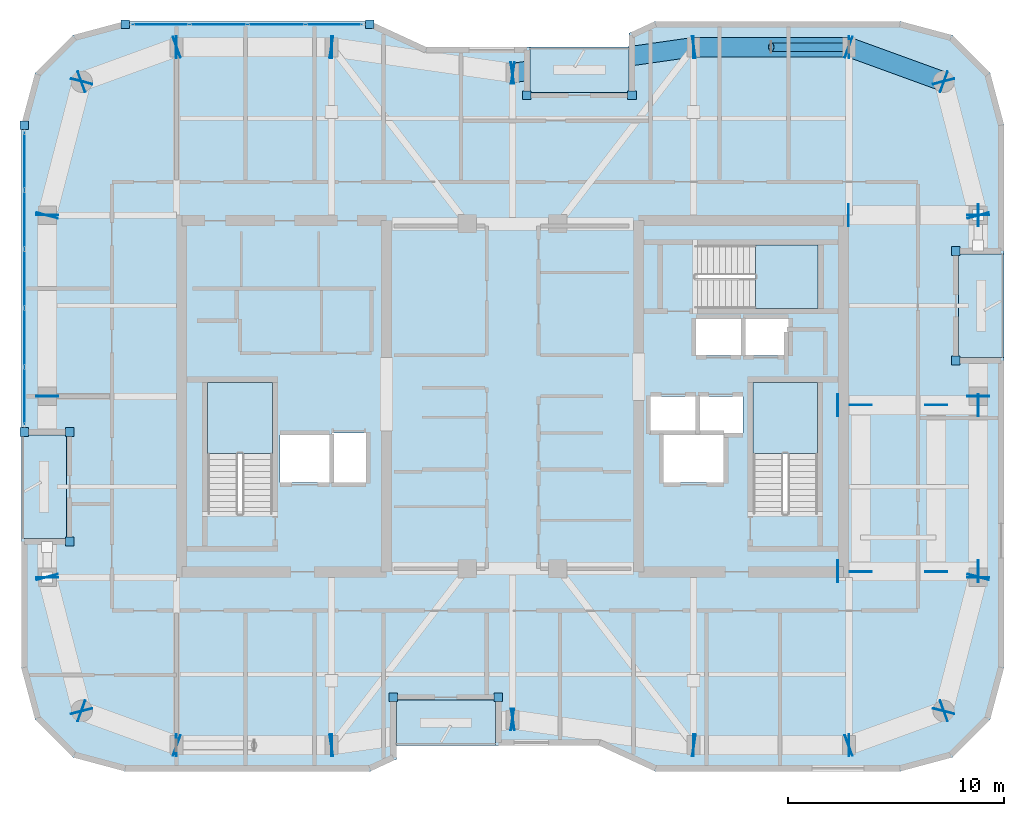
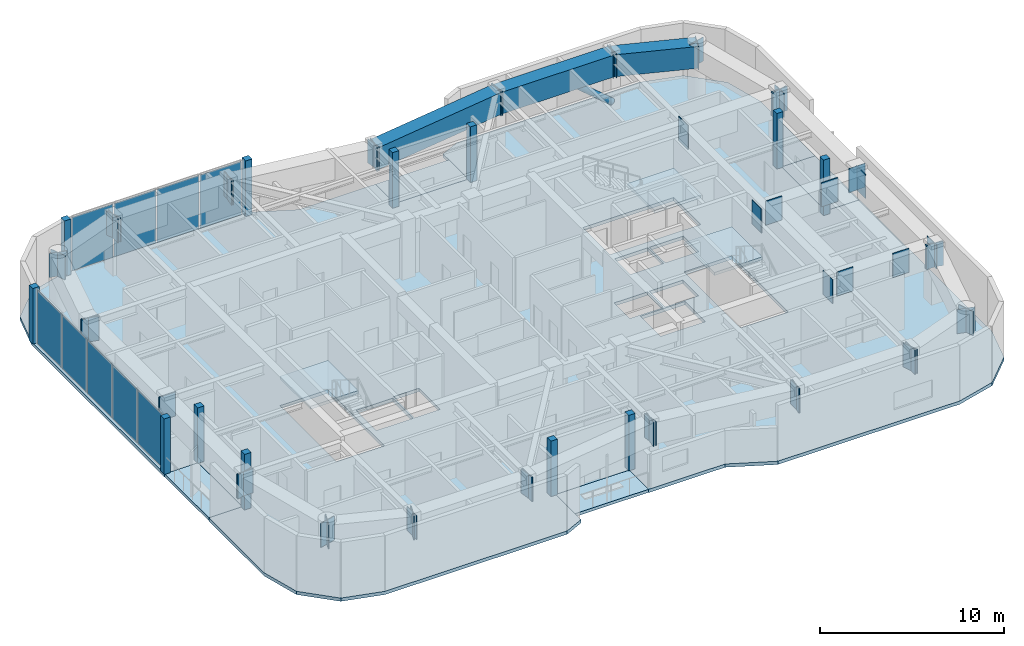
# One storey, part 7 of 16: 71 plates, 8 slabs, 3 beams, 1 member, 5 elements without a shape of their own.
"""IFC4 building model written with IfcOpenShell, lengths in metres."""

from ifc_helpers import new_model, si_unit, direction, frame, origin, origin_2d, place, context, subcontext, project, spatial, polyline, rectangle, hollow_rectangle, hollow_circle, outline, extrude, material, layer, layer_set, material_profile, profile_set, type_object, element, aggregate, save


model = new_model("IFC4")

# Units and contexts
model_context = context("Model", 3, precision=1e-05, world=origin(), true_north=direction((0.0, 1.0)))
body_context = subcontext(model_context, "Body", "Model", "MODEL_VIEW")
ifc_project = project(units=[si_unit("LENGTHUNIT", "METRE"), si_unit("AREAUNIT", "SQUARE_METRE"), si_unit("VOLUMEUNIT", "CUBIC_METRE"), si_unit("PLANEANGLEUNIT", "RADIAN"), si_unit("MASSUNIT", "GRAM", prefix="KILO")], contexts=[model_context])

# Site, building, storey
site_placement = place(None, origin())
site = spatial("IfcSite", under=ifc_project, at=site_placement, CompositionType="ELEMENT")
building_placement = place(site_placement, origin())
building = spatial("IfcBuilding", under=site, at=building_placement, Name="Kiyonajd Concourse Tower", CompositionType="ELEMENT")
storey_placement = place(building_placement, frame((0.0, 0.0, 346.5)))
storey = spatial("IfcBuildingStorey", under=building, at=storey_placement, Name="L87", CompositionType="ELEMENT", Elevation=346.5)

# Beams
ifc_material_1 = material(Name="Steel ASTM A572 Grade 50", Category="steel")
ifc_material_profile_1 = material_profile(ifc_material_1, hollow_rectangle(XDim=0.89990234375, YDim=1.449951171875, WallThickness=0.074951171875, at=origin_2d()), Name="BOX-1450x900x75")
ifc_profile_set_1 = profile_set([ifc_material_profile_1], Name="Steel ASTM A572 Grade 50")
beam_type = type_object("IfcBeamType", Name="BM-XFER-1800", PredefinedType="BEAM", material=ifc_profile_set_1)
beam_1_placement = place(storey_placement, frame((68.0, 50.60009765625, 2.955078125), z_axis=(-0.939801036019, 0.341722127901, 0.0), x_axis=(-0.341722127901, -0.939801036019, 0.0)))
element("IfcBeam", 1, at=beam_1_placement, inside=storey, type_object=beam_type, Name="L87 Perimeter Bundled Tube Spandrel", PredefinedType="BEAM", context=body_context, shape_type="SweptSolid", body=[
    extrude(hollow_rectangle(XDim=0.89990234375, YDim=1.449951171875, WallThickness=0.074951171875, at=origin_2d()), origin(), (0.0, 0.0, 1.0), 4.681640625),
])
beam_2_placement = place(storey_placement, frame((63.60009765625, 52.199951171875, 2.955078125), z_axis=(-1.0, 0.0, 0.0), x_axis=(0.0, -1.0, 0.0)))
element("IfcBeam", 2, at=beam_2_placement, inside=storey, type_object=beam_type, Name="L87 Perimeter Bundled Tube Spandrel", PredefinedType="BEAM", context=body_context, shape_type="SweptSolid", body=[
    extrude(hollow_rectangle(XDim=0.89990234375, YDim=1.449951171875, WallThickness=0.074951171875, at=origin_2d()), origin(), (0.0, 0.0, 1.0), 7.2001953125),
])
beam_3_placement = place(storey_placement, frame((56.39990234375, 52.199951171875, 2.955078125), z_axis=(-0.989950069105, -0.141417328072, 0.0), x_axis=(0.141417328072, -0.989950069105, 0.0)))
element("IfcBeam", 3, at=beam_3_placement, inside=storey, type_object=beam_type, Name="L87 Perimeter Bundled Tube Spandrel", PredefinedType="BEAM", context=body_context, shape_type="SweptSolid", body=[
    extrude(hollow_rectangle(XDim=0.89990234375, YDim=1.449951171875, WallThickness=0.074951171875, at=origin_2d()), origin(), (0.0, 0.0, 1.0), 8.485107421875),
])

# Member
ifc_material_2 = material(Name="Steel ASTM A500 Grade C", Category="steel")
ifc_material_profile_2 = material_profile(ifc_material_2, hollow_circle(Radius=0.202880859375, WallThickness=0.01904296875, at=origin_2d()), Name="CHS-406x19")
ifc_profile_set_2 = profile_set([ifc_material_profile_2], Name="Steel ASTM A500 Grade C")
member_type = type_object("IfcMemberType", Name="MB-PB-HIGH", PredefinedType="BRACE", material=ifc_profile_set_2)
member_placement = place(storey_placement, frame((63.60009765625, 52.199951171875, 0.300048828125), z_axis=(-0.765082043761, 0.0, 0.643932811957), x_axis=(0.0, -1.0, 0.0)))
element("IfcMember", 4, at=member_placement, inside=storey, type_object=member_type, Name="L87 Upper Zone Hollow Tube Brace PBN", PredefinedType="BRACE", context=body_context, shape_type="SweptSolid", body=[
    extrude(hollow_circle(Radius=0.202880859375, WallThickness=0.01904296875, at=origin_2d()), origin(), (0.0, 0.0, 1.0), 4.70556640625),
])

# Plates
ifc_layer_1 = layer(ifc_material_1, 0.031982421875)
ifc_layer_set_1 = layer_set([ifc_layer_1], Name="Steel ASTM A572 Grade 50")
plate_type_1 = type_object("IfcPlateType", Name="PL-CAP-540", PredefinedType="USERDEFINED", material=ifc_layer_set_1)
for number, where, z_axis, x_axis, name in (
    (5, (69.60009765625, 27.589111328125, 2.16015625), (0.0, 0.0, 1.0), (0.0, -1.0, 0.0), "L87 Transfer Box End Cap"),
    (6, (69.60009765625, 36.010986328125, 2.16015625), (0.0, 0.0, 1.0), (0.0, 1.0, 0.0), "L87 Transfer Box End Cap"),
    (7, (63.089111328125, 27.8701171875, 2.16015625), (0.0, 0.0, 1.0), (-1.0, 0.0, 0.0), "L87 Transfer Box End Cap"),
    (8, (69.611083984375, 27.8701171875, 2.16015625), (0.0, 0.0, 1.0), (1.0, 0.0, 0.0), "L87 Transfer Box End Cap"),
    (9, (63.089111328125, 35.580078125, 2.16015625), (0.0, 0.0, 1.0), (-1.0, 0.0, 0.0), "L87 Transfer Box End Cap"),
    (10, (69.611083984375, 35.580078125, 2.16015625), (0.0, 0.0, 1.0), (1.0, 0.0, 0.0), "L87 Transfer Box End Cap"),
    (11, (64.14990234375, 27.85888671875, 2.16015625), (0.0, 0.0, 1.0), (0.0, -1.0, 0.0), "L87 Transfer Box End Cap"),
    (12, (64.14990234375, 35.591064453125, 2.16015625), (0.0, 0.0, 1.0), (0.0, 1.0, 0.0), "L87 Transfer Box End Cap"),
    (13, (67.64990234375, 27.85888671875, 2.16015625), (0.0, 0.0, 1.0), (0.0, -1.0, 0.0), "L87 Transfer Box End Cap"),
    (14, (67.64990234375, 35.591064453125, 2.16015625), (0.0, 0.0, 1.0), (0.0, 1.0, 0.0), "L87 Transfer Box End Cap"),
    (15, (26.397216796875, 27.610595703125, 2.16015625), (0.0, 0.0, 1.0), (-0.249873048837, 0.968278606324, 0.0), "L87 Welded Box Girder End Cap"),
    (16, (28.002685546875, 21.389404296875, 2.16015625), (0.0, 0.0, 1.0), (0.249873048837, -0.968278606324, 0.0), "L87 Welded Box Girder End Cap"),
    (17, (27.98974609375, 21.40380859375, 2.16015625), (0.0, 0.0, 1.0), (-0.939811951086, 0.341692107891, 0.0), "L87 Welded Box Girder End Cap"),
    (18, (32.410400390625, 19.796142578125, 2.16015625), (0.0, 0.0, 1.0), (0.939811951086, -0.341692107891, 0.0), "L87 Welded Box Girder End Cap"),
    (19, (32.388916015625, 19.800048828125, 2.16015625), (0.0, 0.0, 1.0), (-1.0, 0.0, 0.0), "L87 Welded Box Girder End Cap"),
    (20, (39.611083984375, 19.800048828125, 2.16015625), (0.0, 0.0, 1.0), (1.0, 0.0, 0.0), "L87 Welded Box Girder End Cap"),
    (21, (39.589111328125, 19.79833984375, 2.16015625), (0.0, 0.0, 1.0), (-0.989949746297, -0.141419587774, 0.0), "L87 Welded Box Girder End Cap"),
    (22, (48.010986328125, 21.001708984375, 2.16015625), (0.0, 0.0, 1.0), (0.989949746297, 0.141419587774, 0.0), "L87 Welded Box Girder End Cap"),
    (23, (47.989013671875, 21.001708984375, 2.16015625), (0.0, 0.0, 1.0), (-0.989949746297, 0.141419587774, 0.0), "L87 Welded Box Girder End Cap"),
    (24, (56.410888671875, 19.79833984375, 2.16015625), (0.0, 0.0, 1.0), (0.989949746297, -0.141419587774, 0.0), "L87 Welded Box Girder End Cap"),
    (25, (56.388916015625, 19.800048828125, 2.16015625), (0.0, 0.0, 1.0), (-1.0, 0.0, 0.0), "L87 Welded Box Girder End Cap"),
    (26, (63.611083984375, 19.800048828125, 2.16015625), (0.0, 0.0, 1.0), (1.0, 0.0, 0.0), "L87 Welded Box Girder End Cap"),
    (27, (63.589599609375, 19.796142578125, 2.16015625), (0.0, 0.0, 1.0), (-0.939811951086, -0.341692107891, 0.0), "L87 Welded Box Girder End Cap"),
    (28, (68.01025390625, 21.40380859375, 2.16015625), (0.0, 0.0, 1.0), (0.939811951086, 0.341692107891, 0.0), "L87 Welded Box Girder End Cap"),
    (29, (67.997314453125, 21.389404296875, 2.16015625), (0.0, 0.0, 1.0), (-0.249873048837, -0.968278606324, 0.0), "L87 Welded Box Girder End Cap"),
    (30, (69.602783203125, 27.610595703125, 2.16015625), (0.0, 0.0, 1.0), (0.249873048837, 0.968278606324, 0.0), "L87 Welded Box Girder End Cap"),
    (31, (69.60009765625, 35.989013671875, 2.16015625), (0.0, 0.0, 1.0), (0.0, -1.0, 0.0), "L87 Welded Box Girder End Cap"),
    (32, (69.60009765625, 44.410888671875, 2.16015625), (0.0, 0.0, 1.0), (0.0, 1.0, 0.0), "L87 Welded Box Girder End Cap"),
    (33, (69.602783203125, 44.389404296875, 2.16015625), (0.0, 0.0, 1.0), (0.249873048837, -0.968278606324, 0.0), "L87 Welded Box Girder End Cap"),
    (34, (67.997314453125, 50.610595703125, 2.16015625), (0.0, 0.0, 1.0), (-0.249873048837, 0.968278606324, 0.0), "L87 Welded Box Girder End Cap"),
    (35, (68.01025390625, 50.59619140625, 2.16015625), (0.0, 0.0, 1.0), (0.939811951086, -0.341692107891, 0.0), "L87 Welded Box Girder End Cap"),
    (36, (63.589599609375, 52.203857421875, 2.16015625), (0.0, 0.0, 1.0), (-0.939811951086, 0.341692107891, 0.0), "L87 Welded Box Girder End Cap"),
    (37, (63.611083984375, 52.199951171875, 2.16015625), (0.0, 0.0, 1.0), (1.0, 0.0, 0.0), "L87 Welded Box Girder End Cap"),
    (38, (56.388916015625, 52.199951171875, 2.16015625), (0.0, 0.0, 1.0), (-1.0, 0.0, 0.0), "L87 Welded Box Girder End Cap"),
    (39, (56.410888671875, 52.20166015625, 2.16015625), (0.0, 0.0, 1.0), (0.989949746297, 0.141419587774, 0.0), "L87 Welded Box Girder End Cap"),
    (40, (47.989013671875, 50.998291015625, 2.16015625), (0.0, 0.0, 1.0), (-0.989949746297, -0.141419587774, 0.0), "L87 Welded Box Girder End Cap"),
    (41, (48.010986328125, 50.998291015625, 2.16015625), (0.0, 0.0, 1.0), (0.989949746297, -0.141419587774, 0.0), "L87 Welded Box Girder End Cap"),
    (42, (39.589111328125, 52.20166015625, 2.16015625), (0.0, 0.0, 1.0), (-0.989949746297, 0.141419587774, 0.0), "L87 Welded Box Girder End Cap"),
    (43, (39.611083984375, 52.199951171875, 2.16015625), (0.0, 0.0, 1.0), (1.0, 0.0, 0.0), "L87 Welded Box Girder End Cap"),
    (44, (32.388916015625, 52.199951171875, 2.16015625), (0.0, 0.0, 1.0), (-1.0, 0.0, 0.0), "L87 Welded Box Girder End Cap"),
    (45, (32.410400390625, 52.203857421875, 2.16015625), (0.0, 0.0, 1.0), (0.939811951086, 0.341692107891, 0.0), "L87 Welded Box Girder End Cap"),
    (46, (27.98974609375, 50.59619140625, 2.16015625), (0.0, 0.0, 1.0), (-0.939811951086, -0.341692107891, 0.0), "L87 Welded Box Girder End Cap"),
    (47, (28.002685546875, 50.610595703125, 2.16015625), (0.0, 0.0, 1.0), (0.249873048837, 0.968278606324, 0.0), "L87 Welded Box Girder End Cap"),
    (48, (26.397216796875, 44.389404296875, 2.16015625), (0.0, 0.0, 1.0), (-0.249873048837, -0.968278606324, 0.0), "L87 Welded Box Girder End Cap"),
    (49, (26.39990234375, 44.410888671875, 2.16015625), (0.0, 0.0, 1.0), (0.0, 1.0, 0.0), "L87 Welded Box Girder End Cap"),
    (50, (26.39990234375, 35.989013671875, 2.16015625), (0.0, 0.0, 1.0), (0.0, -1.0, 0.0), "L87 Welded Box Girder End Cap"),
    (51, (26.39990234375, 36.010986328125, 2.16015625), (0.0, 0.0, 1.0), (0.0, 1.0, 0.0), "L87 Welded Box Girder End Cap"),
    (52, (26.39990234375, 27.589111328125, 2.16015625), (0.0, 0.0, 1.0), (0.0, -1.0, 0.0), "L87 Welded Box Girder End Cap"),
    (53, (63.589111328125, 44.39990234375, 2.16015625), (0.0, 0.0, 1.0), (-1.0, 0.0, 0.0), "L87 Welded Box Girder End Cap"),
    (54, (69.611083984375, 44.39990234375, 2.16015625), (0.0, 0.0, 1.0), (1.0, 0.0, 0.0), "L87 Welded Box Girder End Cap"),
):
    element("IfcPlate", number, at=place(storey_placement, frame(where, z_axis=z_axis, x_axis=x_axis)), inside=storey, type_object=plate_type_1, Name=name, ObjectType="CAP PLATE", PredefinedType="USERDEFINED", context=body_context, shape_type="SweptSolid", body=[
        extrude(rectangle(XDim=0.035888671875, YDim=1.02001953125, at=origin_2d()), origin(), (0.0, 0.0, 1.0), 1.590087890625),
    ])

# Curtain wall, plates
ifc_material_3 = material(Name="Thermally Broken Anodised Aluminium", Category="aluminium")
ifc_layer_2 = layer(ifc_material_3, 0.179931640625)
ifc_layer_set_2 = layer_set([ifc_layer_2], Name="Thermally Broken Anodised Aluminium")
curtain_wall_type = type_object("IfcCurtainWallType", Name="CW-SYS-06", PredefinedType="NOTDEFINED", material=ifc_layer_set_2)
curtain_wall_1_placement = place(storey_placement, origin())
curtain_wall_1 = element("IfcCurtainWall", 55, at=curtain_wall_1_placement, inside=storey, type_object=curtain_wall_type, Name="L87 Unitised Curtain Wall CW6", PredefinedType="NOTDEFINED")
ifc_material_4 = material(Name="Double Low-E Insulated Glass", Category="glass")
ifc_layer_3 = layer(ifc_material_4, 0.028076171875)
ifc_layer_set_3 = layer_set([ifc_layer_3], Name="Double Low-E Insulated Glass")
plate_type_2 = type_object("IfcPlateType", Name="PL-CW-VIS28", PredefinedType="CURTAIN_PANEL", material=ifc_layer_set_3)
plate_1_placement = place(storey_placement, frame((25.340087890625, 36.014892578125, 0.0751953125), z_axis=(0.0, 0.0, 1.0), x_axis=(0.0, 1.0, 0.0)))
plate_1 = element("IfcPlate", 56, at=plate_1_placement, type_object=plate_type_2, Name="CW6 panel 1.1", PredefinedType="CURTAIN_PANEL", context=body_context, shape_type="SweptSolid", body=[
    extrude(rectangle(XDim=2.619873046875, YDim=0.028076171875, at=origin_2d()), origin(), (0.0, 0.0, 1.0), 3.530029296875),
])
plate_2_placement = place(storey_placement, frame((25.340087890625, 38.728515625, 0.0751953125), z_axis=(0.0, 0.0, 1.0), x_axis=(0.0, 1.0, 0.0)))
plate_2 = element("IfcPlate", 57, at=plate_2_placement, type_object=plate_type_2, Name="CW6 panel 2.1", PredefinedType="CURTAIN_PANEL", context=body_context, shape_type="SweptSolid", body=[
    extrude(rectangle(XDim=2.6572265625, YDim=0.028076171875, at=origin_2d()), origin(), (0.0, 0.0, 1.0), 3.530029296875),
])
plate_3_placement = place(storey_placement, frame((25.340087890625, 41.460693359375, 0.0751953125), z_axis=(0.0, 0.0, 1.0), x_axis=(0.0, 1.0, 0.0)))
plate_3 = element("IfcPlate", 58, at=plate_3_placement, type_object=plate_type_2, Name="CW6 panel 3.1", PredefinedType="CURTAIN_PANEL", context=body_context, shape_type="SweptSolid", body=[
    extrude(rectangle(XDim=2.6572265625, YDim=0.028076171875, at=origin_2d()), origin(), (0.0, 0.0, 1.0), 3.530029296875),
])
plate_4_placement = place(storey_placement, frame((25.340087890625, 44.193115234375, 0.0751953125), z_axis=(0.0, 0.0, 1.0), x_axis=(0.0, 1.0, 0.0)))
plate_4 = element("IfcPlate", 59, at=plate_4_placement, type_object=plate_type_2, Name="CW6 panel 4.1", PredefinedType="CURTAIN_PANEL", context=body_context, shape_type="SweptSolid", body=[
    extrude(rectangle(XDim=2.6572265625, YDim=0.028076171875, at=origin_2d()), origin(), (0.0, 0.0, 1.0), 3.530029296875),
])
plate_5_placement = place(storey_placement, frame((25.340087890625, 46.90673828125, 0.0751953125), z_axis=(0.0, 0.0, 1.0), x_axis=(0.0, 1.0, 0.0)))
plate_5 = element("IfcPlate", 60, at=plate_5_placement, type_object=plate_type_2, Name="CW6 panel 5.1", PredefinedType="CURTAIN_PANEL", context=body_context, shape_type="SweptSolid", body=[
    extrude(rectangle(XDim=2.619873046875, YDim=0.028076171875, at=origin_2d()), origin(), (0.0, 0.0, 1.0), 3.530029296875),
])
aggregate(curtain_wall_1, [plate_1, plate_2, plate_3, plate_4, plate_5])

curtain_wall_2_placement = place(storey_placement, origin())
curtain_wall_2 = element("IfcCurtainWall", 61, at=curtain_wall_2_placement, inside=storey, type_object=curtain_wall_type, Name="L87 Unitised Curtain Wall CW6", PredefinedType="NOTDEFINED")
plate_6_placement = place(storey_placement, frame((31.673583984375, 53.260009765625, 0.0751953125), z_axis=(0.0, 0.0, 1.0), x_axis=(1.0, 0.0, 0.0)))
plate_6 = element("IfcPlate", 62, at=plate_6_placement, type_object=plate_type_2, Name="CW6 panel 1.1", PredefinedType="CURTAIN_PANEL", context=body_context, shape_type="SweptSolid", body=[
    extrude(rectangle(XDim=2.580322265625, YDim=0.028076171875, at=origin_2d()), origin(), (0.0, 0.0, 1.0), 3.530029296875),
])
plate_7_placement = place(storey_placement, frame((34.347412109375, 53.260009765625, 0.0751953125), z_axis=(0.0, 0.0, 1.0), x_axis=(1.0, 0.0, 0.0)))
plate_7 = element("IfcPlate", 63, at=plate_7_placement, type_object=plate_type_2, Name="CW6 panel 2.1", PredefinedType="CURTAIN_PANEL", context=body_context, shape_type="SweptSolid", body=[
    extrude(rectangle(XDim=2.61767578125, YDim=0.028076171875, at=origin_2d()), origin(), (0.0, 0.0, 1.0), 3.530029296875),
])
plate_8_placement = place(storey_placement, frame((37.040283203125, 53.260009765625, 0.0751953125), z_axis=(0.0, 0.0, 1.0), x_axis=(1.0, 0.0, 0.0)))
plate_8 = element("IfcPlate", 64, at=plate_8_placement, type_object=plate_type_2, Name="CW6 panel 3.1", PredefinedType="CURTAIN_PANEL", context=body_context, shape_type="SweptSolid", body=[
    extrude(rectangle(XDim=2.61767578125, YDim=0.028076171875, at=origin_2d()), origin(), (0.0, 0.0, 1.0), 3.530029296875),
])
plate_9_placement = place(storey_placement, frame((39.714111328125, 53.260009765625, 0.0751953125), z_axis=(0.0, 0.0, 1.0), x_axis=(1.0, 0.0, 0.0)))
plate_9 = element("IfcPlate", 65, at=plate_9_placement, type_object=plate_type_2, Name="CW6 panel 4.1", PredefinedType="CURTAIN_PANEL", context=body_context, shape_type="SweptSolid", body=[
    extrude(rectangle(XDim=2.580322265625, YDim=0.028076171875, at=origin_2d()), origin(), (0.0, 0.0, 1.0), 3.530029296875),
])
aggregate(curtain_wall_2, [plate_6, plate_7, plate_8, plate_9])

# Plates
ifc_layer_4 = layer(ifc_material_3, 0.39990234375)
ifc_layer_set_4 = layer_set([ifc_layer_4], Name="Thermally Broken Anodised Aluminium")
plate_type_3 = type_object("IfcPlateType", Name="PL-JMB-400", PredefinedType="USERDEFINED", material=ifc_layer_set_4)
for number, where, z_axis, x_axis, name in (
    (66, (27.43994140625, 29.260009765625, 0.0), (0.0, 0.0, 1.0), (1.0, 0.0, 0.0), "L87 Facade Jamb Closure Plate 01"),
    (67, (27.43994140625, 34.340087890625, 0.0), (0.0, 0.0, 1.0), (1.0, 0.0, 0.0), "L87 Facade Jamb Closure Plate 02"),
    (68, (25.340087890625, 34.340087890625, 0.0), (0.0, 0.0, 1.0), (1.0, 0.0, 0.0), "L87 Facade Jamb Closure Plate 03"),
    (69, (25.340087890625, 48.58154296875, 0.0), (0.0, 0.0, 1.0), (1.0, 0.0, 0.0), "L87 Facade Jamb Closure Plate 04"),
    (70, (30.018310546875, 53.260009765625, 0.0), (0.0, 0.0, 1.0), (1.0, 0.0, 0.0), "L87 Facade Jamb Closure Plate 05"),
    (71, (41.369384765625, 53.260009765625, 0.0), (0.0, 0.0, 1.0), (1.0, 0.0, 0.0), "L87 Facade Jamb Closure Plate 06"),
    (72, (48.659912109375, 49.9599609375, 0.0), (0.0, 0.0, 1.0), (1.0, 0.0, 0.0), "L87 Facade Jamb Closure Plate 07"),
    (73, (53.5400390625, 49.9599609375, 0.0), (0.0, 0.0, 1.0), (1.0, 0.0, 0.0), "L87 Facade Jamb Closure Plate 08"),
    (74, (68.56005859375, 42.739990234375, 0.0), (0.0, 0.0, 1.0), (1.0, 0.0, 0.0), "L87 Facade Jamb Closure Plate 09"),
    (75, (68.56005859375, 37.659912109375, 0.0), (0.0, 0.0, 1.0), (1.0, 0.0, 0.0), "L87 Facade Jamb Closure Plate 10"),
    (76, (47.340087890625, 22.0400390625, 0.0), (0.0, 0.0, 1.0), (1.0, 0.0, 0.0), "L87 Facade Jamb Closure Plate 11"),
    (77, (42.4599609375, 22.0400390625, 0.0), (0.0, 0.0, 1.0), (1.0, 0.0, 0.0), "L87 Facade Jamb Closure Plate 12"),
):
    element("IfcPlate", number, at=place(storey_placement, frame(where, z_axis=z_axis, x_axis=x_axis)), inside=storey, type_object=plate_type_3, Name=name, ObjectType="JAMB PLATE", PredefinedType="USERDEFINED", context=body_context, shape_type="SweptSolid", body=[
        extrude(rectangle(XDim=0.39990234375, YDim=0.39990234375, at=origin_2d()), origin(), (0.0, 0.0, 1.0), 3.679931640625),
    ])

# Stair, slab
ifc_material_5 = material(Name="Concrete C40/50", Category="concrete")
stair_type = type_object("IfcStairType", Name="ST-DLG-22R", PredefinedType="HALF_TURN_STAIR", material=ifc_material_5)
stair_1_placement = place(storey_placement, origin())
stair_1 = element("IfcStair", 78, at=stair_1_placement, inside=storey, type_object=stair_type, Name="L87 Protected Exit Stair ST1", PredefinedType="HALF_TURN_STAIR")
ifc_layer_5 = layer(ifc_material_5, 0.199951171875)
ifc_layer_set_5 = layer_set([ifc_layer_5], Name="Concrete C40/50")
slab_type_1 = type_object("IfcSlabType", Name="SL-LND-200", PredefinedType="LANDING", material=ifc_layer_set_5)
slab_1_placement = place(storey_placement, frame((0.0, 0.0, 1.75)))
slab_1 = element("IfcSlab", 79, at=slab_1_placement, type_object=slab_type_1, Name="ST1 landing 1", PredefinedType="LANDING", context=body_context, shape_type="SweptSolid", body=[
    extrude(outline(polyline([(36.85009765625, 33.35009765625), (36.85009765625, 36.64990234375), (33.85009765625, 36.64990234375), (33.85009765625, 33.35009765625), (36.85009765625, 33.35009765625)])), origin(), (0.0, 0.0, 1.0), 0.199951171875),
])
aggregate(stair_1, [slab_1])

stair_2_placement = place(storey_placement, origin())
stair_2 = element("IfcStair", 80, at=stair_2_placement, inside=storey, type_object=stair_type, Name="L87 Protected Exit Stair ST2", PredefinedType="HALF_TURN_STAIR")
slab_2_placement = place(storey_placement, frame((0.0, 0.0, 1.75)))
slab_2 = element("IfcSlab", 81, at=slab_2_placement, type_object=slab_type_1, Name="ST2 landing 1", PredefinedType="LANDING", context=body_context, shape_type="SweptSolid", body=[
    extrude(outline(polyline([(62.14990234375, 33.35009765625), (62.14990234375, 36.64990234375), (59.14990234375, 36.64990234375), (59.14990234375, 33.35009765625), (62.14990234375, 33.35009765625)])), origin(), (0.0, 0.0, 1.0), 0.199951171875),
])
aggregate(stair_2, [slab_2])

stair_3_placement = place(storey_placement, origin())
stair_3 = element("IfcStair", 82, at=stair_3_placement, inside=storey, type_object=stair_type, Name="L87 Protected Exit Stair ST3", PredefinedType="HALF_TURN_STAIR")
slab_3_placement = place(storey_placement, frame((0.0, 0.0, 1.75)))
slab_3 = element("IfcSlab", 83, at=slab_3_placement, type_object=slab_type_1, Name="ST3 landing 1", PredefinedType="LANDING", context=body_context, shape_type="SweptSolid", body=[
    extrude(outline(polyline([(59.280029296875, 40.080078125), (62.179931640625, 40.080078125), (62.179931640625, 43.02001953125), (59.280029296875, 43.02001953125), (59.280029296875, 40.080078125)])), origin(), (0.0, 0.0, 1.0), 0.199951171875),
])
aggregate(stair_3, [slab_3])

# Slabs
ifc_material_6 = material(Name="Precast concrete C50/60", Category="concrete")
ifc_layer_6 = layer(ifc_material_6, 0.199951171875)
ifc_layer_set_6 = layer_set([ifc_layer_6], Name="Precast concrete C50/60")
slab_type_2 = type_object("IfcSlabType", Name="SL-LOG-200", PredefinedType="FLOOR", material=ifc_layer_set_6)
slab_4_placement = place(storey_placement, frame((0.0, 0.0, -0.199951171875)))
element("IfcSlab", 84, at=slab_4_placement, inside=storey, type_object=slab_type_2, Name="L87 Recessed Engawa Loggia Terrace Slab LOG-S", PredefinedType="FLOOR", context=body_context, shape_type="SweptSolid", body=[
    extrude(outline(polyline([(42.60009765625, 19.800048828125), (47.199951171875, 19.800048828125), (47.199951171875, 21.89990234375), (42.60009765625, 21.89990234375), (42.60009765625, 19.800048828125)])), origin(), (0.0, 0.0, 1.0), 0.199951171875),
])
slab_5_placement = place(storey_placement, frame((0.0, 0.0, -0.199951171875)))
element("IfcSlab", 85, at=slab_5_placement, inside=storey, type_object=slab_type_2, Name="L87 Recessed Engawa Loggia Terrace Slab LOG-N", PredefinedType="FLOOR", context=body_context, shape_type="SweptSolid", body=[
    extrude(outline(polyline([(48.800048828125, 50.10009765625), (53.39990234375, 50.10009765625), (53.39990234375, 52.199951171875), (48.800048828125, 52.199951171875), (48.800048828125, 50.10009765625)])), origin(), (0.0, 0.0, 1.0), 0.199951171875),
])
slab_6_placement = place(storey_placement, frame((0.0, 0.0, -0.199951171875)))
element("IfcSlab", 86, at=slab_6_placement, inside=storey, type_object=slab_type_2, Name="L87 Recessed Engawa Loggia Terrace Slab LOG-W", PredefinedType="FLOOR", context=body_context, shape_type="SweptSolid", body=[
    extrude(outline(polyline([(25.199951171875, 29.39990234375), (27.300048828125, 29.39990234375), (27.300048828125, 34.199951171875), (25.199951171875, 34.199951171875), (25.199951171875, 29.39990234375)])), origin(), (0.0, 0.0, 1.0), 0.199951171875),
])
slab_7_placement = place(storey_placement, frame((0.0, 0.0, -0.199951171875)))
element("IfcSlab", 87, at=slab_7_placement, inside=storey, type_object=slab_type_2, Name="L87 Recessed Engawa Loggia Terrace Slab LOG-E", PredefinedType="FLOOR", context=body_context, shape_type="SweptSolid", body=[
    extrude(outline(polyline([(68.699951171875, 37.800048828125), (70.800048828125, 37.800048828125), (70.800048828125, 42.60009765625), (68.699951171875, 42.60009765625), (68.699951171875, 37.800048828125)])), origin(), (0.0, 0.0, 1.0), 0.199951171875),
])
ifc_layer_7 = layer(ifc_material_5, 0.219970703125)
ifc_layer_set_7 = layer_set([ifc_layer_7], Name="Concrete C40/50")
slab_type_3 = type_object("IfcSlabType", Name="SL-TWR-220", PredefinedType="FLOOR", material=ifc_layer_set_7)
slab_8_placement = place(storey_placement, frame((0.0, 0.0, -0.219970703125)))
element("IfcSlab", 88, at=slab_8_placement, inside=storey, type_object=slab_type_3, Name="L87 Tower Conditioned Floor Slab", PredefinedType="FLOOR", context=body_context, shape_type="SweptSolid", body=[
    extrude(outline(polyline([(25.843017578125, 21.0), (25.199951171875, 23.39990234375), (25.199951171875, 29.39990234375), (27.300048828125, 29.39990234375), (27.300048828125, 34.199951171875), (25.199951171875, 34.199951171875), (25.199951171875, 48.60009765625), (25.843017578125, 51.0), (27.60009765625, 52.757080078125), (30.0, 53.39990234375), (41.39990234375, 53.39990234375), (44.0, 52.199951171875), (48.800048828125, 52.199951171875), (48.800048828125, 50.10009765625), (53.39990234375, 50.10009765625), (53.39990234375, 52.845947265625), (54.60009765625, 53.39990234375), (66.0, 53.39990234375), (68.39990234375, 52.757080078125), (70.156982421875, 51.0), (70.800048828125, 48.60009765625), (70.800048828125, 42.60009765625), (68.699951171875, 42.60009765625), (68.699951171875, 37.800048828125), (70.800048828125, 37.800048828125), (70.800048828125, 23.39990234375), (70.156982421875, 21.0), (68.39990234375, 19.242919921875), (66.0, 18.60009765625), (54.60009765625, 18.60009765625), (52.0, 19.800048828125), (47.199951171875, 19.800048828125), (47.199951171875, 21.89990234375), (42.60009765625, 21.89990234375), (42.60009765625, 19.154052734375), (41.39990234375, 18.60009765625), (30.0, 18.60009765625), (27.60009765625, 19.242919921875), (25.843017578125, 21.0)]), holes=[polyline([(39.5, 32.0), (37.199951171875, 32.0), (37.199951171875, 34.199951171875), (39.5, 34.199951171875), (39.5, 32.0)]), polyline([(57.800048828125, 32.0), (55.0, 32.0), (55.0, 34.199951171875), (57.800048828125, 34.199951171875), (57.800048828125, 32.0)]), polyline([(41.199951171875, 32.0), (39.60009765625, 32.0), (39.60009765625, 34.300048828125), (41.199951171875, 34.300048828125), (41.199951171875, 32.0)]), polyline([(33.85009765625, 30.550048828125), (33.85009765625, 36.64990234375), (36.85009765625, 36.64990234375), (36.85009765625, 30.550048828125), (33.85009765625, 30.550048828125)]), polyline([(59.14990234375, 30.550048828125), (59.14990234375, 36.64990234375), (62.14990234375, 36.64990234375), (62.14990234375, 30.550048828125), (59.14990234375, 30.550048828125)]), polyline([(56.5, 34.300048828125), (54.39990234375, 34.300048828125), (54.39990234375, 36.0), (56.5, 36.0), (56.5, 34.300048828125)]), polyline([(58.699951171875, 34.300048828125), (56.60009765625, 34.300048828125), (56.60009765625, 36.0), (58.699951171875, 36.0), (58.699951171875, 34.300048828125)]), polyline([(58.60009765625, 37.89990234375), (56.5, 37.89990234375), (56.5, 39.60009765625), (58.60009765625, 39.60009765625), (58.60009765625, 37.89990234375)]), polyline([(58.699951171875, 37.89990234375), (58.699951171875, 39.60009765625), (60.800048828125, 39.60009765625), (60.800048828125, 37.89990234375), (58.699951171875, 37.89990234375)]), polyline([(56.47998046875, 43.02001953125), (62.179931640625, 43.02001953125), (62.179931640625, 40.080078125), (56.47998046875, 40.080078125), (56.47998046875, 43.02001953125)])]), origin(), (0.0, 0.0, 1.0), 0.219970703125),
])

save(model, "model.ifc")
